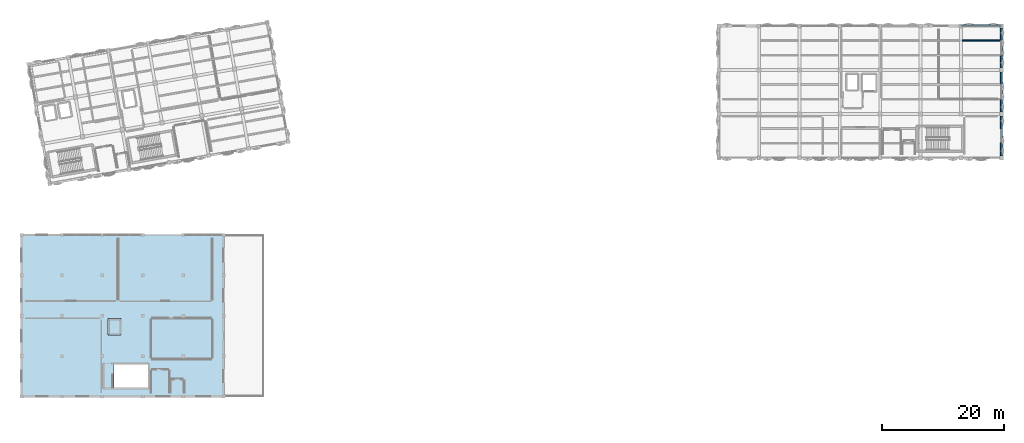
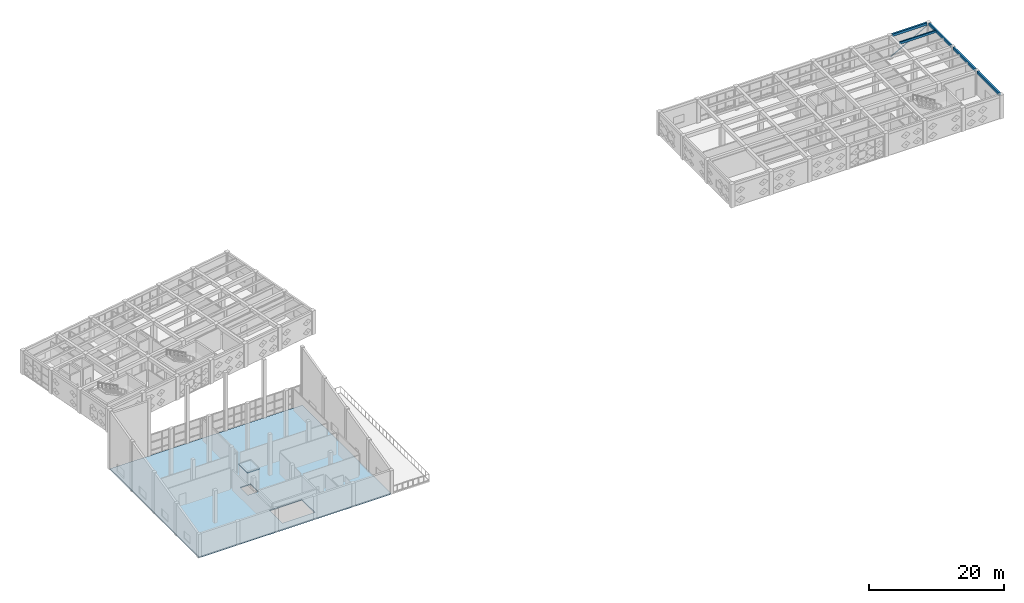
# One storey, part 19 of 39: 5 beams, 2 slabs, 1 member.
"""IFC4 building model written with IfcOpenShell, lengths in metres."""

from ifc_helpers import new_model, si_unit, direction, frame, origin, origin_2d, place, context, subcontext, project, spatial, polyline, rectangle, hollow_circle, outline, extrude, material, layer, layer_set, material_profile, profile_set, type_object, element, save


model = new_model("IFC4")

# Units and contexts
model_context = context("Model", 3, precision=1e-05, world=origin(), true_north=direction((0.0, 1.0)))
body_context = subcontext(model_context, "Body", "Model", "MODEL_VIEW")
ifc_project = project(units=[si_unit("LENGTHUNIT", "METRE"), si_unit("AREAUNIT", "SQUARE_METRE"), si_unit("VOLUMEUNIT", "CUBIC_METRE"), si_unit("PLANEANGLEUNIT", "RADIAN"), si_unit("MASSUNIT", "GRAM", prefix="KILO")], contexts=[model_context])

# Site, building, storey
site_placement = place(None, origin())
site = spatial("IfcSite", under=ifc_project, at=site_placement, CompositionType="ELEMENT")
building_placement = place(site_placement, origin())
building = spatial("IfcBuilding", under=site, at=building_placement, Name="Kharisveld Research Institute", CompositionType="ELEMENT")
storey_placement = place(building_placement, frame((0.0, 0.0, 18.60009765625)))
storey = spatial("IfcBuildingStorey", under=building, at=storey_placement, Name="L04", CompositionType="ELEMENT", Elevation=18.60009765625)

# Member
ifc_material_1 = material(Name="Steel S355J2H", Category="steel")
ifc_material_profile_1 = material_profile(ifc_material_1, hollow_circle(Radius=0.084228515625, WallThickness=0.008056640625, at=origin_2d()))
ifc_profile_set_1 = profile_set([ifc_material_profile_1], Name="Steel S355J2H")
member_type = type_object("IfcMemberType", Name="BR_CHS168", PredefinedType="BRACE", material=ifc_profile_set_1)
member_placement = place(storey_placement, frame((154.300048828125, 60.800048828125, 0.199951171875), z_axis=(0.87447337202, 0.0, 0.485073521879), x_axis=(0.0, 1.0, 0.0)))
element("IfcMember", 1, at=member_placement, inside=storey, type_object=member_type, Name="MEM:V2:L04:BR_6_3", PredefinedType="BRACE", context=body_context, shape_type="SweptSolid", body=[
    extrude(hollow_circle(Radius=0.084228515625, WallThickness=0.008056640625, at=origin_2d()), origin(), (0.0, 0.0, 1.0), 7.318603515625),
])

# Beams
ifc_material_2 = material(Name="Concrete C40/50", Category="concrete")
ifc_material_profile_2 = material_profile(ifc_material_2, rectangle(XDim=0.300048828125, YDim=0.449951171875, at=origin_2d()))
ifc_profile_set_2 = profile_set([ifc_material_profile_2], Name="Concrete C40/50")
beam_type_1 = type_object("IfcBeamType", Name="SP_RC_300x450", PredefinedType="SPANDREL", material=ifc_profile_set_2)
beam_1_placement = place(storey_placement, frame((154.52490234375, 60.800048828125, 4.074951171875), z_axis=(1.0, 0.0, 0.0), x_axis=(0.0, 1.0, 0.0)))
element("IfcBeam", 2, at=beam_1_placement, inside=storey, type_object=beam_type_1, Name="BM:V2:L04:U6_3", PredefinedType="SPANDREL", context=body_context, shape_type="SweptSolid", body=[
    extrude(rectangle(XDim=0.300048828125, YDim=0.449951171875, at=origin_2d()), origin(), (0.0, 0.0, 1.0), 5.9501953125),
])
beam_2_placement = place(storey_placement, frame((160.800048828125, 39.52490234375, 4.074951171875), z_axis=(0.0, 1.0, 0.0), x_axis=(-1.0, 0.0, 0.0)))
element("IfcBeam", 3, at=beam_2_placement, inside=storey, type_object=beam_type_1, Name="BM:V2:L04:V7_0", PredefinedType="SPANDREL", context=body_context, shape_type="SweptSolid", body=[
    extrude(rectangle(XDim=0.300048828125, YDim=0.449951171875, at=origin_2d()), origin(), (0.0, 0.0, 1.0), 6.550048828125),
])
beam_3_placement = place(storey_placement, frame((160.800048828125, 46.72509765625, 4.074951171875), z_axis=(0.0, 1.0, 0.0), x_axis=(-1.0, 0.0, 0.0)))
element("IfcBeam", 4, at=beam_3_placement, inside=storey, type_object=beam_type_1, Name="BM:V2:L04:V7_1", PredefinedType="SPANDREL", context=body_context, shape_type="SweptSolid", body=[
    extrude(rectangle(XDim=0.300048828125, YDim=0.449951171875, at=origin_2d()), origin(), (0.0, 0.0, 1.0), 6.5498046875),
])
beam_4_placement = place(storey_placement, frame((160.800048828125, 53.925048828125, 4.074951171875), z_axis=(0.0, 1.0, 0.0), x_axis=(-1.0, 0.0, 0.0)))
element("IfcBeam", 5, at=beam_4_placement, inside=storey, type_object=beam_type_1, Name="BM:V2:L04:V7_2", PredefinedType="SPANDREL", context=body_context, shape_type="SweptSolid", body=[
    extrude(rectangle(XDim=0.300048828125, YDim=0.449951171875, at=origin_2d()), origin(), (0.0, 0.0, 1.0), 6.550048828125),
])
ifc_material_3 = material(Name="Concrete C40/50", Category="concrete")
ifc_material_profile_3 = material_profile(ifc_material_3, rectangle(XDim=0.219970703125, YDim=0.39990234375, at=origin_2d()))
ifc_profile_set_3 = profile_set([ifc_material_profile_3], Name="Concrete C40/50")
beam_type_2 = type_object("IfcBeamType", Name="WB_RC_220x400", PredefinedType="JOIST", material=ifc_profile_set_3)
beam_5_placement = place(storey_placement, frame((154.425048828125, 58.39990234375, 4.099853515625), z_axis=(1.0, 0.0, 0.0), x_axis=(0.0, 1.0, 0.0)))
element("IfcBeam", 6, at=beam_5_placement, inside=storey, type_object=beam_type_2, Name="BM:V2:L04:J_6_2_R2", PredefinedType="JOIST", context=body_context, shape_type="SweptSolid", body=[
    extrude(rectangle(XDim=0.219970703125, YDim=0.39990234375, at=origin_2d()), origin(), (0.0, 0.0, 1.0), 6.224853515625),
])

# Slabs
ifc_material_4 = material(Name="Concrete C40/50", Category="concrete")
ifc_layer_1 = layer(ifc_material_4, 0.179931640625)
ifc_layer_set_1 = layer_set([ifc_layer_1], Name="SL_FLR_180")
slab_type_1 = type_object("IfcSlabType", Name="SL_FLR_180", PredefinedType="FLOOR", material=ifc_layer_set_1)
slab_1_placement = place(storey_placement, frame((0.0, 0.0, 4.06982421875)))
element("IfcSlab", 7, at=slab_1_placement, inside=storey, type_object=slab_type_1, Name="SLAB:LFT:PL-03:L04:CAP", PredefinedType="FLOOR", context=body_context, shape_type="SweptSolid", body=[
    extrude(outline(polyline([(14.72998046875, 10.280029296875), (16.8701171875, 10.280029296875), (16.8701171875, 12.919921875), (14.72998046875, 12.919921875), (14.72998046875, 10.280029296875)])), origin(), (0.0, 0.0, 1.0), 0.18017578125),
])
ifc_material_5 = material(Name="Concrete C40/50", Category="concrete")
ifc_layer_2 = layer(ifc_material_5, 0.199951171875)
ifc_layer_set_2 = layer_set([ifc_layer_2], Name="SL_FLR_200")
slab_type_2 = type_object("IfcSlabType", Name="SL_FLR_200", PredefinedType="FLOOR", material=ifc_layer_set_2)
slab_2_placement = place(storey_placement, frame((0.0, 0.0, -0.2001953125)))
element("IfcSlab", 8, at=slab_2_placement, inside=storey, type_object=slab_type_2, Name="SLAB:V3:L04:MAIN", PredefinedType="FLOOR", context=body_context, shape_type="SweptSolid", body=[
    extrude(outline(polyline([(0.60009765625, 0.199951171875), (33.60009765625, 0.199951171875), (33.60009765625, 26.60009765625), (0.60009765625, 26.60009765625), (0.60009765625, 0.199951171875)]), holes=[polyline([(21.300048828125, 5.4599609375), (21.300048828125, 1.60009765625), (15.699951171875, 1.60009765625), (15.699951171875, 5.4599609375), (21.300048828125, 5.4599609375)]), polyline([(16.719970703125, 12.77001953125), (16.719970703125, 10.429931640625), (14.8798828125, 10.429931640625), (14.8798828125, 12.77001953125), (16.719970703125, 12.77001953125)])]), origin(), (0.0, 0.0, 1.0), 0.2001953125),
])

save(model, "model.ifc")
